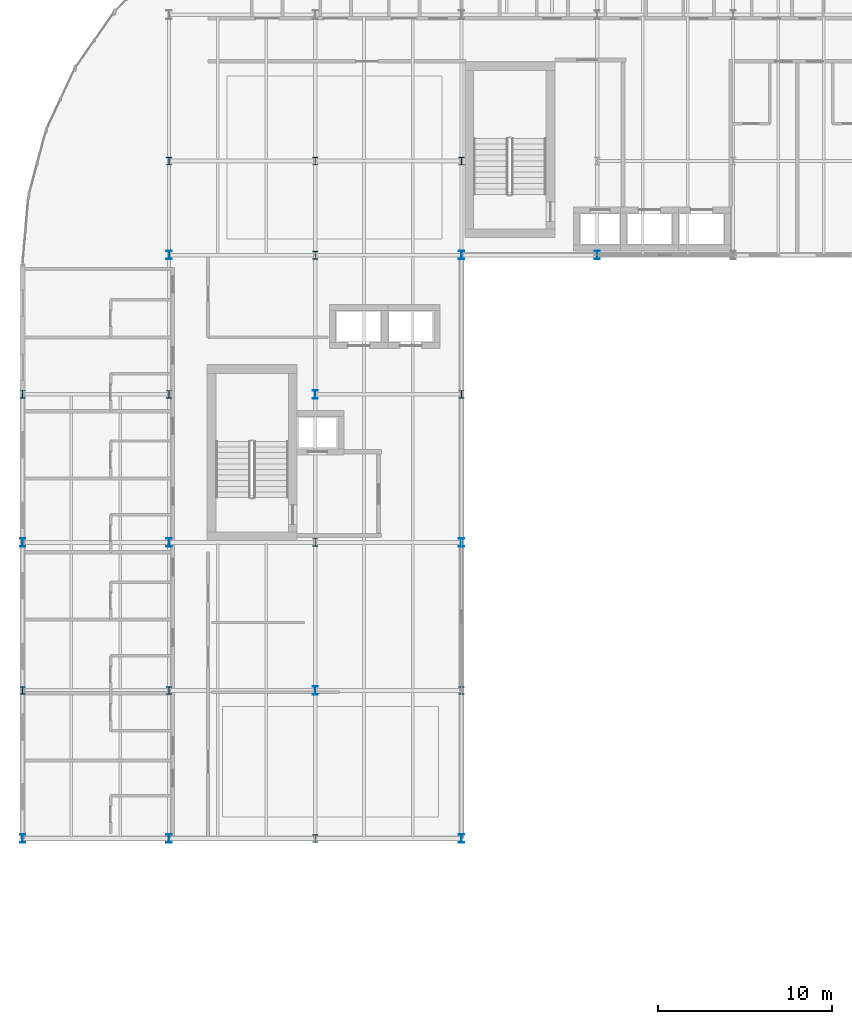
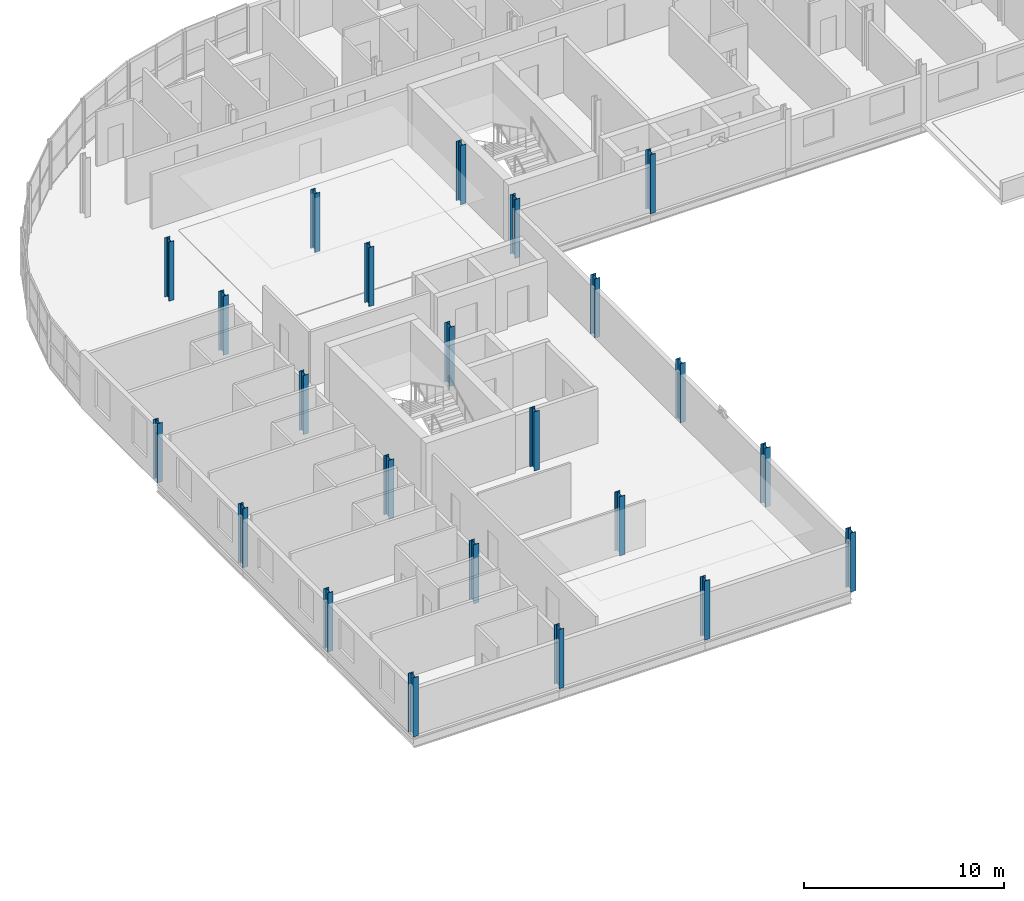
# One storey, part 1 of 36: 23 columns.
"""IFC4 building model written with IfcOpenShell, lengths in metres."""

from ifc_helpers import new_model, si_unit, direction, frame, origin, origin_2d, place, context, subcontext, project, spatial, i_section, extrude, material, material_profile, profile_set, type_object, element, save


model = new_model("IFC4")

# Units and contexts
model_context = context("Model", 3, precision=1e-05, world=origin(), true_north=direction((0.0, 1.0)))
body_context = subcontext(model_context, "Body", "Model", "MODEL_VIEW")
ifc_project = project(units=[si_unit("LENGTHUNIT", "METRE"), si_unit("AREAUNIT", "SQUARE_METRE"), si_unit("VOLUMEUNIT", "CUBIC_METRE"), si_unit("PLANEANGLEUNIT", "RADIAN"), si_unit("MASSUNIT", "GRAM", prefix="KILO")], contexts=[model_context])

# Site, building, storey
site_placement = place(None, origin())
site = spatial("IfcSite", under=ifc_project, at=site_placement, CompositionType="ELEMENT")
building_placement = place(site_placement, origin())
building = spatial("IfcBuilding", under=site, at=building_placement, Name="Sefraquen Railside Congress Hotel", CompositionType="ELEMENT")
storey_placement = place(building_placement, frame((0.0, 0.0, 24.60009765625)))
storey = spatial("IfcBuildingStorey", under=building, at=storey_placement, Name="L05", CompositionType="ELEMENT", Elevation=24.60009765625)

# Columns
ifc_material = material(Name="Steel S355JR", Category="steel")
ifc_material_profile_1 = material_profile(ifc_material, i_section(OverallWidth=0.300048828125, OverallDepth=0.449951171875, WebThickness=0.013916015625, FlangeThickness=0.02587890625, FilletRadius=0.027099609375, at=origin_2d()), Name="HEB 450")
ifc_profile_set_1 = profile_set([ifc_material_profile_1], Name="Steel S355JR")
column_type_1 = type_object("IfcColumnType", Name="TC-HEB-450", PredefinedType="COLUMN", material=ifc_profile_set_1)
for number, where, z_axis, x_axis, name in (
    (1, (0.0, 71.0, 0.0), (0.0, 0.0, 1.0), (1.0, 0.0, 0.0), "Structural column 1-J L05"),
    (2, (0.0, 88.0, 0.0), (0.0, 0.0, 1.0), (1.0, 0.0, 0.0), "Structural column 1-L L05"),
    (3, (8.39990234375, 71.0, 0.0), (0.0, 0.0, 1.0), (1.0, 0.0, 0.0), "Structural column 2-J L05"),
    (4, (8.39990234375, 88.0, 0.0), (0.0, 0.0, 1.0), (1.0, 0.0, 0.0), "Structural column 2-L L05"),
    (5, (16.800048828125, 62.5, 0.0), (0.0, 0.0, 1.0), (1.0, 0.0, 0.0), "Structural column 3-H L05"),
    (6, (16.800048828125, 79.5, 0.0), (0.0, 0.0, 1.0), (1.0, 0.0, 0.0), "Structural column 3-K L05"),
    (7, (16.800048828125, 96.0, 0.0), (0.0, 0.0, 1.0), (1.0, 0.0, 0.0), "Structural column 3-M L05"),
    (8, (25.199951171875, 71.0, 0.0), (0.0, 0.0, 1.0), (1.0, 0.0, 0.0), "Structural column 4-J L05"),
    (9, (25.199951171875, 88.0, 0.0), (0.0, 0.0, 1.0), (1.0, 0.0, 0.0), "Structural column 4-L L05"),
    (10, (8.39990234375, 101.39990234375, 0.0), (0.0, 0.0, 1.0), (1.0, 0.0, 0.0), "Structural column 2-N L05"),
    (11, (16.800048828125, 101.39990234375, 0.0), (0.0, 0.0, 1.0), (1.0, 0.0, 0.0), "Structural column 3-N L05"),
    (12, (25.199951171875, 101.39990234375, 0.0), (0.0, 0.0, 1.0), (1.0, 0.0, 0.0), "Structural column 4-N L05"),
):
    element("IfcColumn", number, at=place(storey_placement, frame(where, z_axis=z_axis, x_axis=x_axis)), inside=storey, type_object=column_type_1, Name=name, PredefinedType="COLUMN", context=body_context, shape_type="SweptSolid", body=[
        extrude(i_section(OverallWidth=0.300048828125, OverallDepth=0.449951171875, WebThickness=0.013916015625, FlangeThickness=0.02587890625, FilletRadius=0.027099609375, at=origin_2d()), origin(), (0.0, 0.0, 1.0), 3.599853515625),
    ])
ifc_material_profile_2 = material_profile(ifc_material, i_section(OverallWidth=0.300048828125, OverallDepth=0.5, WebThickness=0.014404296875, FlangeThickness=0.028076171875, FilletRadius=0.027099609375, at=origin_2d()), Name="HEB 500")
ifc_profile_set_2 = profile_set([ifc_material_profile_2], Name="Steel S355JR")
column_type_2 = type_object("IfcColumnType", Name="TC-HEB-500", PredefinedType="COLUMN", material=ifc_profile_set_2)
for number, where, z_axis, x_axis, name in (
    (13, (0.0, 62.5, 0.0), (0.0, 0.0, 1.0), (1.0, 0.0, 0.0), "Structural column 1-H L05"),
    (14, (0.0, 79.5, 0.0), (0.0, 0.0, 1.0), (1.0, 0.0, 0.0), "Structural column 1-K L05"),
    (15, (8.39990234375, 62.5, 0.0), (0.0, 0.0, 1.0), (1.0, 0.0, 0.0), "Structural column 2-H L05"),
    (16, (8.39990234375, 79.5, 0.0), (0.0, 0.0, 1.0), (1.0, 0.0, 0.0), "Structural column 2-K L05"),
    (17, (8.39990234375, 96.0, 0.0), (0.0, 0.0, 1.0), (1.0, 0.0, 0.0), "Structural column 2-M L05"),
    (18, (16.800048828125, 71.0, 0.0), (0.0, 0.0, 1.0), (1.0, 0.0, 0.0), "Structural column 3-J L05"),
    (19, (16.800048828125, 88.0, 0.0), (0.0, 0.0, 1.0), (1.0, 0.0, 0.0), "Structural column 3-L L05"),
    (20, (25.199951171875, 62.5, 0.0), (0.0, 0.0, 1.0), (1.0, 0.0, 0.0), "Structural column 4-H L05"),
    (21, (25.199951171875, 79.5, 0.0), (0.0, 0.0, 1.0), (1.0, 0.0, 0.0), "Structural column 4-K L05"),
    (22, (25.199951171875, 96.0, 0.0), (0.0, 0.0, 1.0), (1.0, 0.0, 0.0), "Structural column 4-M L05"),
    (23, (33.0, 96.0, 0.0), (0.0, 0.0, 1.0), (1.0, 0.0, 0.0), "Structural column 5-M L05"),
):
    element("IfcColumn", number, at=place(storey_placement, frame(where, z_axis=z_axis, x_axis=x_axis)), inside=storey, type_object=column_type_2, Name=name, PredefinedType="COLUMN", context=body_context, shape_type="SweptSolid", body=[
        extrude(i_section(OverallWidth=0.300048828125, OverallDepth=0.5, WebThickness=0.014404296875, FlangeThickness=0.028076171875, FilletRadius=0.027099609375, at=origin_2d()), origin(), (0.0, 0.0, 1.0), 3.599853515625),
    ])

save(model, "model.ifc")
